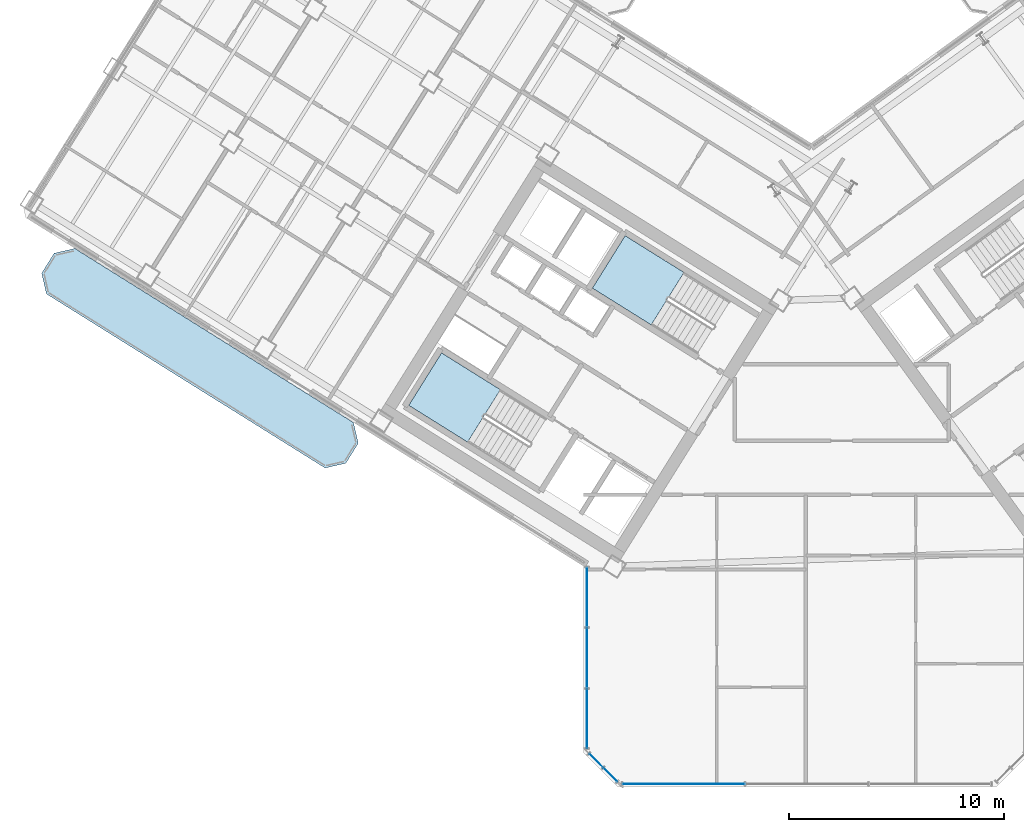
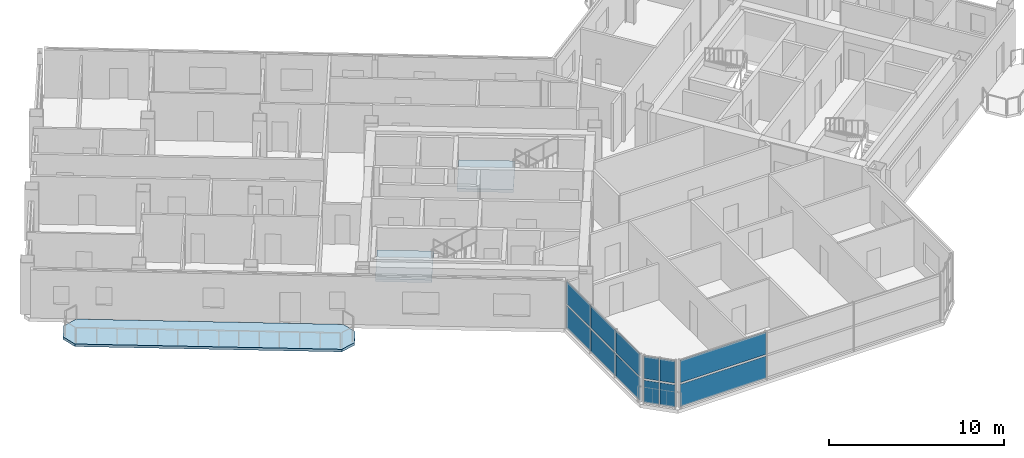
# One storey, part 8 of 21: 12 plates, 3 slabs, 5 elements without a shape of their own.
"""IFC4 building model written with IfcOpenShell, lengths in metres."""

import ifcopenshell
import ifcopenshell.guid

model = None  # the IFC model being written
_history = None  # IfcOwnerHistory: only IFC2X3 demands one
_inside = {}  # id of a spatial element -> (the spatial element, [elements in it])
_under = {}  # id of a project, library or spatial element -> (it, [spatial elements below it])
_declared = {}  # id of a project -> (the project, [libraries it declares])
_typed = {}  # id of a type object -> (the type object, [elements of that type])
_made_of = {}  # id of a material, layer set ... -> (it, [elements and type objects made of it])


def new_model(schema):
    """Start an empty IFC model of exactly this schema.

    Asked for "IFC4X3", IfcOpenShell would pick the latest addendum, in which some entities
    have other attributes; the version numbers below select the first issue.
    IFC2X3 requires an IfcOwnerHistory on every rooted entity: one is made here for all.
    """
    global model, _history
    if schema == "IFC4X3":
        model = ifcopenshell.file(schema_version=(4, 3, 0, 0))
    else:
        model = ifcopenshell.file(schema=schema)
    _inside.clear()
    _under.clear()
    _declared.clear()
    _typed.clear()
    _made_of.clear()
    _history = None
    if model.schema == "IFC2X3":
        org = make("IfcOrganization", Name="unknown")
        user = make(
            "IfcPersonAndOrganization",
            ThePerson=make("IfcPerson", FamilyName="unknown"),
            TheOrganization=org,
        )
        app = make(
            "IfcApplication",
            ApplicationDeveloper=org,
            Version="unknown",
            ApplicationFullName="unknown",
            ApplicationIdentifier="unknown",
        )
        _history = make(
            "IfcOwnerHistory",
            OwningUser=user,
            OwningApplication=app,
            ChangeAction="ADDED",
            CreationDate=0,
        )
    return model


def make(cls, **values):
    """One entity of the class cls with the attributes given. An attribute that is None is left unset."""
    return model.create_entity(
        cls, **{name: value for name, value in values.items() if value is not None}
    )


def rooted(cls, **values):
    """An entity with a GlobalId (a new one), such as an element, a storey or a relation."""
    return make(cls, GlobalId=ifcopenshell.guid.new(), OwnerHistory=_history, **values)


def si_unit(unit_type, name, prefix=None):
    """IfcSIUnit, for example si_unit("LENGTHUNIT", "METRE", prefix="MILLI")."""
    return make("IfcSIUnit", UnitType=unit_type, Prefix=prefix, Name=name)


def assignment(units):
    """IfcUnitAssignment: the units of a project."""
    return None if units is None else make("IfcUnitAssignment", Units=units)


def point(xyz):
    """IfcCartesianPoint."""
    return None if xyz is None else make("IfcCartesianPoint", Coordinates=xyz)


def direction(xyz):
    """IfcDirection."""
    return None if xyz is None else make("IfcDirection", DirectionRatios=xyz)


def frame(location, z_axis=None, x_axis=None):
    """IfcAxis2Placement3D, a coordinate frame: its origin and axes. An axis left out is left unset."""
    return make(
        "IfcAxis2Placement3D",
        Location=point(location),
        Axis=direction(z_axis),
        RefDirection=direction(x_axis),
    )


def frame_2d(location, x_axis=None):
    """IfcAxis2Placement2D, a coordinate frame in the plane: its origin and x axis."""
    return make(
        "IfcAxis2Placement2D", Location=point(location), RefDirection=direction(x_axis)
    )


def origin():
    """The frame at (0, 0, 0) with its axes left unset."""
    return frame((0.0, 0.0, 0.0))


def origin_2d():
    """The frame at (0, 0) in the plane with its x axis left unset."""
    return frame_2d((0.0, 0.0))


def place(relative_to, where):
    """IfcLocalPlacement: puts the frame where relative to a parent placement (None: the world)."""
    return make(
        "IfcLocalPlacement", PlacementRelTo=relative_to, RelativePlacement=where
    )


def context(
    kind, dimensions, precision=None, world=None, true_north=None, identifier=None
):
    """IfcGeometricRepresentationContext, for example the 3D "Model" context."""
    return make(
        "IfcGeometricRepresentationContext",
        ContextIdentifier=identifier,
        ContextType=kind,
        CoordinateSpaceDimension=dimensions,
        Precision=precision,
        WorldCoordinateSystem=world,
        TrueNorth=true_north,
    )


def subcontext(parent, identifier, kind, view, scale=None):
    """IfcGeometricRepresentationSubContext, for example "Body" below "Model"."""
    return make(
        "IfcGeometricRepresentationSubContext",
        ContextIdentifier=identifier,
        ContextType=kind,
        ParentContext=parent,
        TargetScale=scale,
        TargetView=view,
    )


def project(units=None, contexts=None):
    """IfcProject with its units and contexts."""
    return rooted(
        "IfcProject",
        Name="project",
        RepresentationContexts=contexts,
        UnitsInContext=assignment(units),
    )


def spatial(cls, under=None, at=None, **own):
    """A site, building, storey or space (cls), placed at a placement, below another one or the project."""
    s = rooted(cls, ObjectPlacement=at, **own)
    if under is not None:
        _under.setdefault(under.id(), (under, []))[1].append(s)
    return s


def polyline(points):
    """IfcPolyline through the points."""
    return make("IfcPolyline", Points=[point(p) for p in points])


def profile(cls, at=None, kind="AREA", **sizes):
    """A parametric profile (cls). Its sizes go by their IFC names, for example OverallWidth=200.0."""
    return make(cls, ProfileType=kind, Position=at, **sizes)


def rectangle(**sizes):
    """IfcRectangleProfileDef."""
    return profile("IfcRectangleProfileDef", **sizes)


def outline(outer, holes=None, kind="AREA"):
    """IfcArbitraryClosedProfileDef: a profile drawn as a closed curve; with holes, ...WithVoids."""
    if holes is None:
        return make("IfcArbitraryClosedProfileDef", ProfileType=kind, OuterCurve=outer)
    return make(
        "IfcArbitraryProfileDefWithVoids",
        ProfileType=kind,
        OuterCurve=outer,
        InnerCurves=holes,
    )


def extrude(swept, where, along, depth):
    """IfcExtrudedAreaSolid: the profile swept, set in the frame where, extruded along a direction by depth."""
    return make(
        "IfcExtrudedAreaSolid",
        SweptArea=swept,
        Position=where,
        ExtrudedDirection=direction(along),
        Depth=depth,
    )


def shape(context_of_items, identifier, shape_type, items):
    """IfcShapeRepresentation: the items that make up one representation, for example the "Body"."""
    return make(
        "IfcShapeRepresentation",
        ContextOfItems=context_of_items,
        RepresentationIdentifier=identifier,
        RepresentationType=shape_type,
        Items=items,
    )


def source(mapping_origin, context_of_items, identifier, shape_type, items):
    """IfcRepresentationMap: a shape defined once, which mapped items show again and again."""
    return make(
        "IfcRepresentationMap",
        MappingOrigin=mapping_origin,
        MappedRepresentation=shape(context_of_items, identifier, shape_type, items),
    )


def transform(
    local_origin,
    x_axis=None,
    y_axis=None,
    z_axis=None,
    scale=None,
    scale2=None,
    scale3=None,
    uniform=True,
):
    """IfcCartesianTransformationOperator3D, or its non-uniform kind. x_axis, y_axis, z_axis: its Axis1, 2, 3."""
    if uniform:
        return make(
            "IfcCartesianTransformationOperator3D",
            Axis1=direction(x_axis),
            Axis2=direction(y_axis),
            LocalOrigin=point(local_origin),
            Scale=scale,
            Axis3=direction(z_axis),
        )
    return make(
        "IfcCartesianTransformationOperator3DnonUniform",
        Axis1=direction(x_axis),
        Axis2=direction(y_axis),
        LocalOrigin=point(local_origin),
        Scale=scale,
        Axis3=direction(z_axis),
        Scale2=scale2,
        Scale3=scale3,
    )


def mapped(mapping_source, mapping_target):
    """IfcMappedItem: shows the shape of a source again, moved by a transform."""
    return make(
        "IfcMappedItem", MappingSource=mapping_source, MappingTarget=mapping_target
    )


def material(Name=None, Category=None):
    """IfcMaterial."""
    return make("IfcMaterial", Name=Name, Category=Category)


def layer(
    of_material, thickness, ventilated=None, Name=None, Category=None, Priority=None
):
    """IfcMaterialLayer: one layer of a wall or slab, of a material (None: an air gap)."""
    return make(
        "IfcMaterialLayer",
        Material=of_material,
        LayerThickness=thickness,
        IsVentilated=ventilated,
        Name=Name,
        Category=Category,
        Priority=Priority,
    )


def layer_set(layers, Name=None):
    """IfcMaterialLayerSet."""
    return make("IfcMaterialLayerSet", MaterialLayers=layers, LayerSetName=Name)


def made_of(thing, what):
    """Note that an element or type object is made of a material, layer set ...; save() writes the relation."""
    if what is not None:
        _made_of.setdefault(what.id(), (what, []))[1].append(thing)
    return thing


def type_object(cls, material=None, **own):
    """A type object (cls), such as IfcWallType, which elements share."""
    return made_of(rooted(cls, **own), material)


def element(
    cls,
    number,
    at=None,
    inside=None,
    cuts=None,
    type_object=None,
    material=None,
    context=None,
    identifier="Body",
    shape_type=None,
    held_by="IfcProductDefinitionShape",
    body=None,
    shapes=None,
    **own,
):
    """One element of the class cls, such as IfcWall. Its Tag is "e" and its number.

    at: its placement. inside: the storey or other place that contains it. cuts: it is an
    opening in that element (IfcRelVoidsElement). A single representation is given by context,
    identifier, shape_type and body (its items); several are given by shapes. held_by: the class
    of the entity that holds the representations. save() writes the other relations.
    """
    e = rooted(cls, Tag="e%d" % number, ObjectPlacement=at, **own)
    if body is not None:
        shapes = [shape(context, identifier, shape_type, body)]
    if shapes is not None:
        e.Representation = make(held_by, Representations=shapes)
    if inside is not None:
        _inside.setdefault(inside.id(), (inside, []))[1].append(e)
    if cuts is not None:
        rooted(
            "IfcRelVoidsElement", RelatingBuildingElement=cuts, RelatedOpeningElement=e
        )
    if type_object is not None:
        _typed.setdefault(type_object.id(), (type_object, []))[1].append(e)
    return made_of(e, material)


def aggregate(whole, parts):
    """IfcRelAggregates: a whole, such as a stair, and the parts it consists of."""
    return rooted("IfcRelAggregates", RelatingObject=whole, RelatedObjects=parts)


def save(model, path):
    """Write the relations noted so far, then the file.

    IfcRelAggregates (storeys below a building ...), IfcRelContainedInSpatialStructure (elements
    in a storey), IfcRelDefinesByType, IfcRelAssociatesMaterial and IfcRelDeclares: one each for
    every whole, place, type object, material and project.
    """
    for whole, parts in _under.values():
        aggregate(whole, parts)
    for where, things in _inside.values():
        rooted(
            "IfcRelContainedInSpatialStructure",
            RelatedElements=things,
            RelatingStructure=where,
        )
    for kind, things in _typed.values():
        rooted("IfcRelDefinesByType", RelatedObjects=things, RelatingType=kind)
    for what, things in _made_of.values():
        rooted("IfcRelAssociatesMaterial", RelatedObjects=things, RelatingMaterial=what)
    for by, libraries in _declared.values():
        rooted("IfcRelDeclares", RelatingContext=by, RelatedDefinitions=libraries)
    model.write(path)


model = new_model("IFC4")

# Units and contexts
model_context = context("Model", 3, precision=1e-05, world=origin(), true_north=direction((0.0, 1.0)))
body_context = subcontext(model_context, "Body", "Model", "MODEL_VIEW")
ifc_project = project(units=[si_unit("LENGTHUNIT", "METRE"), si_unit("AREAUNIT", "SQUARE_METRE"), si_unit("VOLUMEUNIT", "CUBIC_METRE"), si_unit("PLANEANGLEUNIT", "RADIAN"), si_unit("MASSUNIT", "GRAM", prefix="KILO")], contexts=[model_context])

# Site, building, storey
site_placement = place(None, origin())
site = spatial("IfcSite", under=ifc_project, at=site_placement, CompositionType="ELEMENT")
building_placement = place(site_placement, origin())
building = spatial("IfcBuilding", under=site, at=building_placement, Name="Tlacorven Tower", CompositionType="ELEMENT")
storey_placement = place(building_placement, frame((0.0, 0.0, 184.199951171875)))
storey = spatial("IfcBuildingStorey", under=building, at=storey_placement, Name="L46", CompositionType="ELEMENT", Elevation=184.199951171875)

# Slab
ifc_material_1 = material(Name="Precast concrete C45/55", Category="concrete")
ifc_layer_1 = layer(ifc_material_1, 0.179931640625)
ifc_layer_set_1 = layer_set([ifc_layer_1], Name="Precast concrete C45/55")
slab_type_1 = type_object("IfcSlabType", Name="SL-BAL-180", PredefinedType="USERDEFINED", material=ifc_layer_set_1)
slab_1_placement = place(storey_placement, frame((0.0, 0.0, -0.179931640625)))
element("IfcSlab", 1, at=slab_1_placement, inside=storey, type_object=slab_type_1, Name="L46 West Wing Balcony Ribbon OUT", ObjectType="BALCONY SLAB", PredefinedType="USERDEFINED", context=body_context, shape_type="SweptSolid", body=[
    extrude(outline(polyline([(20.88671875, 18.78271484375), (7.91162109375, 26.890625), (6.947021484375, 26.66796875), (6.366943359375, 25.7392578125), (6.589599609375, 24.774658203125), (19.564697265625, 16.6669921875), (20.529296875, 16.8896484375), (21.109375, 17.818115234375), (20.88671875, 18.78271484375)])), origin(), (0.0, 0.0, 1.0), 0.179931640625),
])

# Stair, slab
ifc_material_2 = material(Name="Concrete C40/50", Category="concrete")
stair_type = type_object("IfcStairType", Name="ST-CORE-DLG", PredefinedType="HALF_TURN_STAIR", material=ifc_material_2)
stair_1_placement = place(storey_placement, origin())
stair_1 = element("IfcStair", 2, at=stair_1_placement, inside=storey, type_object=stair_type, Name="L46 Protected Exit Stair West 1", PredefinedType="HALF_TURN_STAIR")
ifc_layer_2 = layer(ifc_material_2, 0.199951171875)
ifc_layer_set_2 = layer_set([ifc_layer_2], Name="Concrete C40/50")
slab_type_2 = type_object("IfcSlabType", Name="SL-LND-200", PredefinedType="LANDING", material=ifc_layer_set_2)
slab_2_placement = place(storey_placement, frame((0.0, 0.0, 1.60009765625)))
slab_2 = element("IfcSlab", 3, at=slab_2_placement, type_object=slab_type_2, Name="ST-W1 landing 1", PredefinedType="LANDING", context=body_context, shape_type="SweptSolid", body=[
    extrude(outline(polyline([(27.728515625, 20.315185546875), (24.9892578125, 22.02685546875), (23.463134765625, 19.58447265625), (26.2021484375, 17.872802734375), (27.728515625, 20.315185546875)])), origin(), (0.0, 0.0, 1.0), 0.199951171875),
])
aggregate(stair_1, [slab_2])

stair_2_placement = place(storey_placement, origin())
stair_2 = element("IfcStair", 4, at=stair_2_placement, inside=storey, type_object=stair_type, Name="L46 Protected Exit Stair West 2", PredefinedType="HALF_TURN_STAIR")
slab_3_placement = place(storey_placement, frame((0.0, 0.0, 1.60009765625)))
slab_3 = element("IfcSlab", 5, at=slab_3_placement, type_object=slab_type_2, Name="ST-W2 landing 1", PredefinedType="LANDING", context=body_context, shape_type="SweptSolid", body=[
    extrude(outline(polyline([(36.280029296875, 25.772705078125), (33.540771484375, 27.484375), (32.0146484375, 25.0419921875), (34.75390625, 23.33056640625), (36.280029296875, 25.772705078125)])), origin(), (0.0, 0.0, 1.0), 0.199951171875),
])
aggregate(stair_2, [slab_3])

# Curtain wall, plates
ifc_material_3 = material(Name="Dark solar low-E double glazing in aluminium frame", Category="aluminium")
curtain_wall_type = type_object("IfcCurtainWallType", Name="CW-TWR-MID", PredefinedType="USERDEFINED", material=ifc_material_3)
curtain_wall_1_placement = place(storey_placement, origin())
curtain_wall_1 = element("IfcCurtainWall", 6, at=curtain_wall_1_placement, inside=storey, type_object=curtain_wall_type, Name="L46 CW-TWR-MID Curtain Wall 214", ObjectType="UNITISED CURTAIN WALL", PredefinedType="USERDEFINED")
ifc_material_4 = material(Name="High-wind dark solar tempered low-E glazing", Category="glass")
ifc_layer_3 = layer(ifc_material_4, 0.028076171875)
ifc_layer_set_3 = layer_set([ifc_layer_3], Name="High-wind dark solar tempered low-E glazing")
plate_type = type_object("IfcPlateType", Name="CWP-03", PredefinedType="CURTAIN_PANEL", material=ifc_layer_set_3)
shared_shape_1 = source(origin(), body_context, "Body", "SweptSolid", [
    extrude(rectangle(XDim=0.885498046875, YDim=0.028076171875, at=origin_2d()), origin(), (0.0, 0.0, 1.0), 1.552978515625),
])
plate_1_placement = place(storey_placement, frame((32.8427734375, 2.38330078125, 0.06103515625), z_axis=(0.0, 0.0, 1.0), x_axis=(-0.707106781187, 0.707106781187, 0.0)))
plate_1 = element("IfcPlate", 7, at=plate_1_placement, type_object=plate_type, Name="CW-L46-214 Glazing Panel 1", PredefinedType="CURTAIN_PANEL", context=body_context, shape_type="MappedRepresentation", body=[
    mapped(shared_shape_1, transform((0.0, 0.0, 0.0), scale=1.0)),
])
plate_2_placement = place(storey_placement, frame((32.8427734375, 2.38330078125, 1.73583984375), z_axis=(0.0, 0.0, 1.0), x_axis=(-0.707106781187, 0.707106781187, 0.0)))
plate_2 = element("IfcPlate", 8, at=plate_2_placement, type_object=plate_type, Name="CW-L46-214 Glazing Panel 2", PredefinedType="CURTAIN_PANEL", context=body_context, shape_type="MappedRepresentation", body=[
    mapped(shared_shape_1, transform((0.0, 0.0, 0.0), scale=1.0)),
])
plate_3_placement = place(storey_placement, frame((32.183349609375, 3.04296875, 0.06103515625), z_axis=(0.0, 0.0, 1.0), x_axis=(-0.707106781187, 0.707106781187, 0.0)))
plate_3 = element("IfcPlate", 9, at=plate_3_placement, type_object=plate_type, Name="CW-L46-214 Glazing Panel 3", PredefinedType="CURTAIN_PANEL", context=body_context, shape_type="MappedRepresentation", body=[
    mapped(shared_shape_1, transform((0.0, 0.0, 0.0), scale=1.0)),
])
plate_4_placement = place(storey_placement, frame((32.183349609375, 3.04296875, 1.73583984375), z_axis=(0.0, 0.0, 1.0), x_axis=(-0.707106781187, 0.707106781187, 0.0)))
plate_4 = element("IfcPlate", 10, at=plate_4_placement, type_object=plate_type, Name="CW-L46-214 Glazing Panel 4", PredefinedType="CURTAIN_PANEL", context=body_context, shape_type="MappedRepresentation", body=[
    mapped(shared_shape_1, transform((0.0, 0.0, 0.0), scale=1.0)),
])
aggregate(curtain_wall_1, [plate_1, plate_2, plate_3, plate_4])

curtain_wall_2_placement = place(storey_placement, origin())
curtain_wall_2 = element("IfcCurtainWall", 11, at=curtain_wall_2_placement, inside=storey, type_object=curtain_wall_type, Name="L46 CW-TWR-MID Curtain Wall 213", ObjectType="UNITISED CURTAIN WALL", PredefinedType="USERDEFINED")
shared_shape_2 = source(origin(), body_context, "Body", "SweptSolid", [
    extrude(rectangle(XDim=5.67626953125, YDim=0.028076171875, at=origin_2d()), origin(), (0.0, 0.0, 1.0), 1.552978515625),
])
plate_5_placement = place(storey_placement, frame((36.260498046875, 1.9599609375, 0.06103515625), z_axis=(0.0, 0.0, 1.0), x_axis=(-1.0, 0.0, 0.0)))
plate_5 = element("IfcPlate", 12, at=plate_5_placement, type_object=plate_type, Name="CW-L46-213 Glazing Panel 5", PredefinedType="CURTAIN_PANEL", context=body_context, shape_type="MappedRepresentation", body=[
    mapped(shared_shape_2, transform((0.0, 0.0, 0.0), scale=1.0)),
])
plate_6_placement = place(storey_placement, frame((36.260498046875, 1.9599609375, 1.73583984375), z_axis=(0.0, 0.0, 1.0), x_axis=(-1.0, 0.0, 0.0)))
plate_6 = element("IfcPlate", 13, at=plate_6_placement, type_object=plate_type, Name="CW-L46-213 Glazing Panel 6", PredefinedType="CURTAIN_PANEL", context=body_context, shape_type="MappedRepresentation", body=[
    mapped(shared_shape_2, transform((0.0, 0.0, 0.0), scale=1.0)),
])
aggregate(curtain_wall_2, [plate_5, plate_6])

curtain_wall_3_placement = place(storey_placement, origin())
curtain_wall_3 = element("IfcCurtainWall", 14, at=curtain_wall_3_placement, inside=storey, type_object=curtain_wall_type, Name="L46 CW-TWR-MID Curtain Wall 215", ObjectType="UNITISED CURTAIN WALL", PredefinedType="USERDEFINED")
shared_shape_3 = source(origin(), body_context, "Body", "SweptSolid", [
    extrude(rectangle(XDim=2.759521484375, YDim=0.028076171875, at=origin_2d()), origin(), (0.0, 0.0, 1.0), 1.552978515625),
])
plate_7_placement = place(storey_placement, frame((31.760009765625, 5.001953125, 0.06103515625), z_axis=(0.0, 0.0, 1.0), x_axis=(0.0, 1.0, 0.0)))
plate_7 = element("IfcPlate", 15, at=plate_7_placement, type_object=plate_type, Name="CW-L46-215 Glazing Panel 1", PredefinedType="CURTAIN_PANEL", context=body_context, shape_type="MappedRepresentation", body=[
    mapped(shared_shape_3, transform((0.0, 0.0, 0.0), scale=1.0)),
])
plate_8_placement = place(storey_placement, frame((31.760009765625, 5.001953125, 1.73583984375), z_axis=(0.0, 0.0, 1.0), x_axis=(0.0, 1.0, 0.0)))
plate_8 = element("IfcPlate", 16, at=plate_8_placement, type_object=plate_type, Name="CW-L46-215 Glazing Panel 2", PredefinedType="CURTAIN_PANEL", context=body_context, shape_type="MappedRepresentation", body=[
    mapped(shared_shape_3, transform((0.0, 0.0, 0.0), scale=1.0)),
])
plate_9_placement = place(storey_placement, frame((31.760009765625, 10.6474609375, 0.06103515625), z_axis=(0.0, 0.0, 1.0), x_axis=(0.0, 1.0, 0.0)))
plate_9 = element("IfcPlate", 17, at=plate_9_placement, type_object=plate_type, Name="CW-L46-215 Glazing Panel 5", PredefinedType="CURTAIN_PANEL", context=body_context, shape_type="MappedRepresentation", body=[
    mapped(shared_shape_3, transform((0.0, 0.0, 0.0), scale=1.0)),
])
plate_10_placement = place(storey_placement, frame((31.760009765625, 10.6474609375, 1.73583984375), z_axis=(0.0, 0.0, 1.0), x_axis=(0.0, 1.0, 0.0)))
plate_10 = element("IfcPlate", 18, at=plate_10_placement, type_object=plate_type, Name="CW-L46-215 Glazing Panel 6", PredefinedType="CURTAIN_PANEL", context=body_context, shape_type="MappedRepresentation", body=[
    mapped(shared_shape_3, transform((0.0, 0.0, 0.0), scale=1.0)),
])
shared_shape_4 = source(origin(), body_context, "Body", "SweptSolid", [
    extrude(rectangle(XDim=2.7919921875, YDim=0.028076171875, at=origin_2d()), origin(), (0.0, 0.0, 1.0), 1.552978515625),
])
plate_11_placement = place(storey_placement, frame((31.760009765625, 7.82470703125, 0.06103515625), z_axis=(0.0, 0.0, 1.0), x_axis=(0.0, 1.0, 0.0)))
plate_11 = element("IfcPlate", 19, at=plate_11_placement, type_object=plate_type, Name="CW-L46-215 Glazing Panel 3", PredefinedType="CURTAIN_PANEL", context=body_context, shape_type="MappedRepresentation", body=[
    mapped(shared_shape_4, transform((0.0, 0.0, 0.0), scale=1.0)),
])
plate_12_placement = place(storey_placement, frame((31.760009765625, 7.82470703125, 1.73583984375), z_axis=(0.0, 0.0, 1.0), x_axis=(0.0, 1.0, 0.0)))
plate_12 = element("IfcPlate", 20, at=plate_12_placement, type_object=plate_type, Name="CW-L46-215 Glazing Panel 4", PredefinedType="CURTAIN_PANEL", context=body_context, shape_type="MappedRepresentation", body=[
    mapped(shared_shape_4, transform((0.0, 0.0, 0.0), scale=1.0)),
])
aggregate(curtain_wall_3, [plate_7, plate_8, plate_11, plate_12, plate_9, plate_10])

save(model, "model.ifc")
